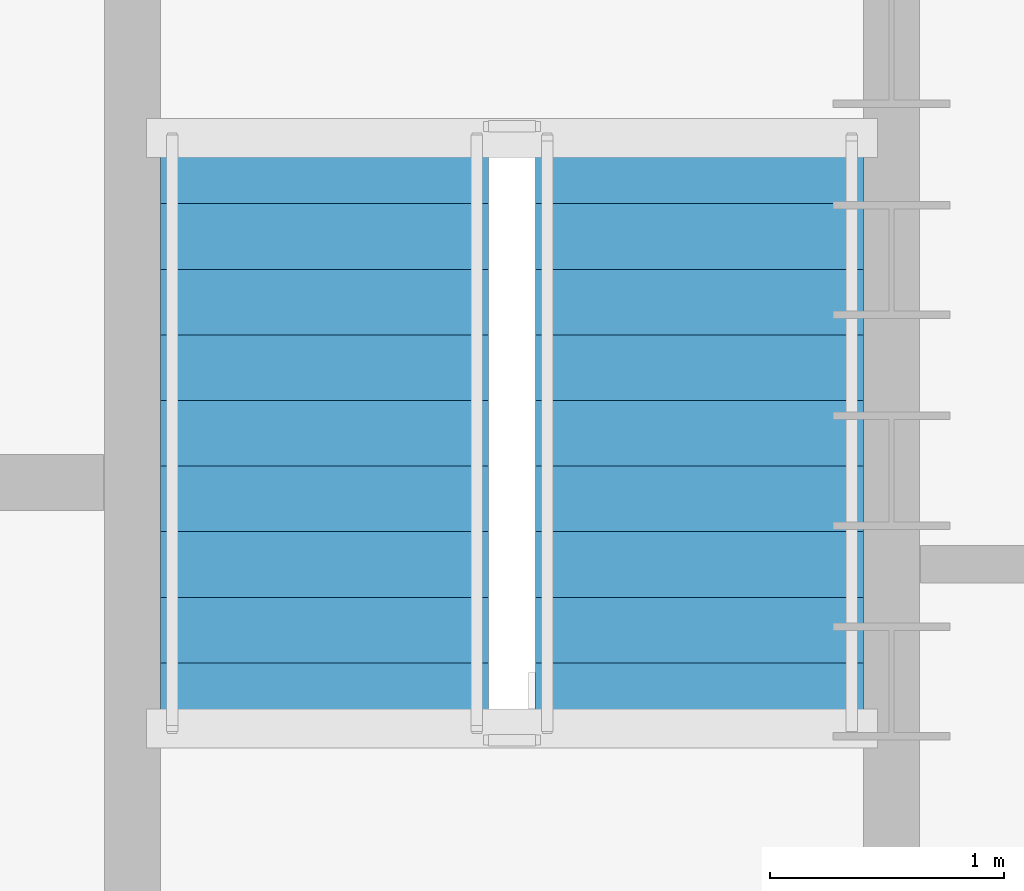
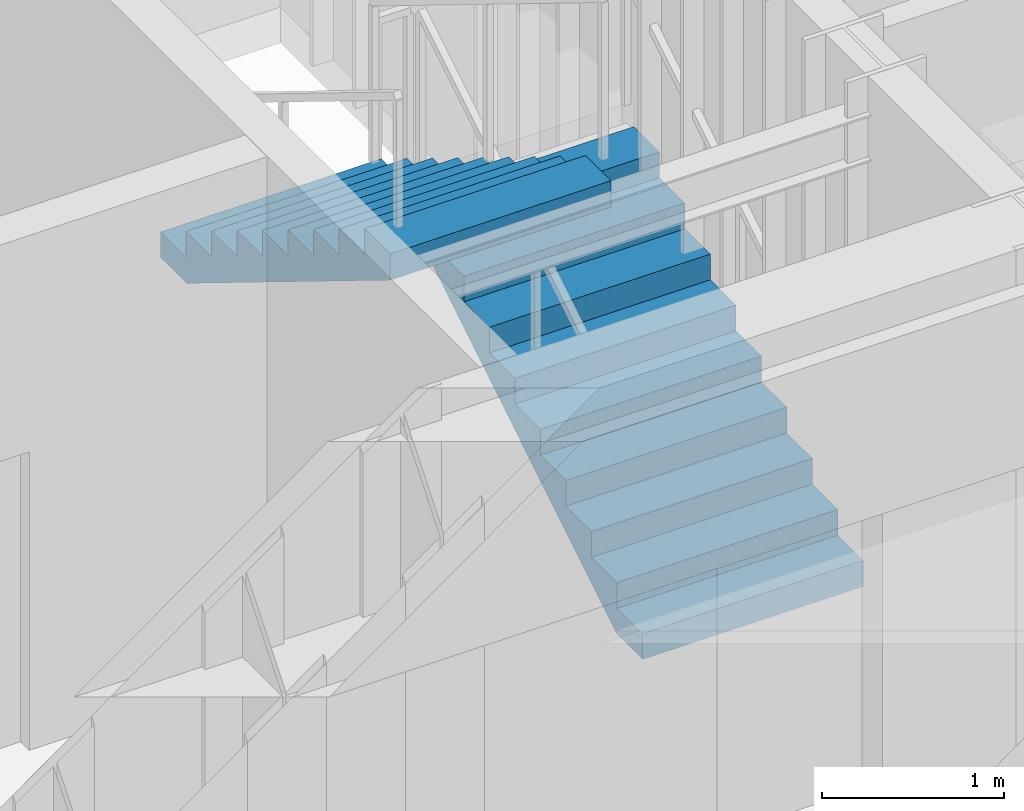
# One storey, part 11 of 14: 2 stair flights, 1 element without a shape of its own.
"""IFC4 building model written with IfcOpenShell, lengths in metres."""

import ifcopenshell
import ifcopenshell.guid

model = None  # the IFC model being written
_history = None  # IfcOwnerHistory: only IFC2X3 demands one
_inside = {}  # id of a spatial element -> (the spatial element, [elements in it])
_under = {}  # id of a project, library or spatial element -> (it, [spatial elements below it])
_declared = {}  # id of a project -> (the project, [libraries it declares])
_typed = {}  # id of a type object -> (the type object, [elements of that type])
_made_of = {}  # id of a material, layer set ... -> (it, [elements and type objects made of it])


def new_model(schema):
    """Start an empty IFC model of exactly this schema.

    Asked for "IFC4X3", IfcOpenShell would pick the latest addendum, in which some entities
    have other attributes; the version numbers below select the first issue.
    IFC2X3 requires an IfcOwnerHistory on every rooted entity: one is made here for all.
    """
    global model, _history
    if schema == "IFC4X3":
        model = ifcopenshell.file(schema_version=(4, 3, 0, 0))
    else:
        model = ifcopenshell.file(schema=schema)
    _inside.clear()
    _under.clear()
    _declared.clear()
    _typed.clear()
    _made_of.clear()
    _history = None
    if model.schema == "IFC2X3":
        org = make("IfcOrganization", Name="unknown")
        user = make(
            "IfcPersonAndOrganization",
            ThePerson=make("IfcPerson", FamilyName="unknown"),
            TheOrganization=org,
        )
        app = make(
            "IfcApplication",
            ApplicationDeveloper=org,
            Version="unknown",
            ApplicationFullName="unknown",
            ApplicationIdentifier="unknown",
        )
        _history = make(
            "IfcOwnerHistory",
            OwningUser=user,
            OwningApplication=app,
            ChangeAction="ADDED",
            CreationDate=0,
        )
    return model


def make(cls, **values):
    """One entity of the class cls with the attributes given. An attribute that is None is left unset."""
    return model.create_entity(
        cls, **{name: value for name, value in values.items() if value is not None}
    )


def rooted(cls, **values):
    """An entity with a GlobalId (a new one), such as an element, a storey or a relation."""
    return make(cls, GlobalId=ifcopenshell.guid.new(), OwnerHistory=_history, **values)


def si_unit(unit_type, name, prefix=None):
    """IfcSIUnit, for example si_unit("LENGTHUNIT", "METRE", prefix="MILLI")."""
    return make("IfcSIUnit", UnitType=unit_type, Prefix=prefix, Name=name)


def assignment(units):
    """IfcUnitAssignment: the units of a project."""
    return None if units is None else make("IfcUnitAssignment", Units=units)


def point(xyz):
    """IfcCartesianPoint."""
    return None if xyz is None else make("IfcCartesianPoint", Coordinates=xyz)


def direction(xyz):
    """IfcDirection."""
    return None if xyz is None else make("IfcDirection", DirectionRatios=xyz)


def frame(location, z_axis=None, x_axis=None):
    """IfcAxis2Placement3D, a coordinate frame: its origin and axes. An axis left out is left unset."""
    return make(
        "IfcAxis2Placement3D",
        Location=point(location),
        Axis=direction(z_axis),
        RefDirection=direction(x_axis),
    )


def origin():
    """The frame at (0, 0, 0) with its axes left unset."""
    return frame((0.0, 0.0, 0.0))


def place(relative_to, where):
    """IfcLocalPlacement: puts the frame where relative to a parent placement (None: the world)."""
    return make(
        "IfcLocalPlacement", PlacementRelTo=relative_to, RelativePlacement=where
    )


def context(
    kind, dimensions, precision=None, world=None, true_north=None, identifier=None
):
    """IfcGeometricRepresentationContext, for example the 3D "Model" context."""
    return make(
        "IfcGeometricRepresentationContext",
        ContextIdentifier=identifier,
        ContextType=kind,
        CoordinateSpaceDimension=dimensions,
        Precision=precision,
        WorldCoordinateSystem=world,
        TrueNorth=true_north,
    )


def subcontext(parent, identifier, kind, view, scale=None):
    """IfcGeometricRepresentationSubContext, for example "Body" below "Model"."""
    return make(
        "IfcGeometricRepresentationSubContext",
        ContextIdentifier=identifier,
        ContextType=kind,
        ParentContext=parent,
        TargetScale=scale,
        TargetView=view,
    )


def project(units=None, contexts=None):
    """IfcProject with its units and contexts."""
    return rooted(
        "IfcProject",
        Name="project",
        RepresentationContexts=contexts,
        UnitsInContext=assignment(units),
    )


def spatial(cls, under=None, at=None, **own):
    """A site, building, storey or space (cls), placed at a placement, below another one or the project."""
    s = rooted(cls, ObjectPlacement=at, **own)
    if under is not None:
        _under.setdefault(under.id(), (under, []))[1].append(s)
    return s


def polyline(points):
    """IfcPolyline through the points."""
    return make("IfcPolyline", Points=[point(p) for p in points])


def outline(outer, holes=None, kind="AREA"):
    """IfcArbitraryClosedProfileDef: a profile drawn as a closed curve; with holes, ...WithVoids."""
    if holes is None:
        return make("IfcArbitraryClosedProfileDef", ProfileType=kind, OuterCurve=outer)
    return make(
        "IfcArbitraryProfileDefWithVoids",
        ProfileType=kind,
        OuterCurve=outer,
        InnerCurves=holes,
    )


def extrude(swept, where, along, depth):
    """IfcExtrudedAreaSolid: the profile swept, set in the frame where, extruded along a direction by depth."""
    return make(
        "IfcExtrudedAreaSolid",
        SweptArea=swept,
        Position=where,
        ExtrudedDirection=direction(along),
        Depth=depth,
    )


def shape(context_of_items, identifier, shape_type, items):
    """IfcShapeRepresentation: the items that make up one representation, for example the "Body"."""
    return make(
        "IfcShapeRepresentation",
        ContextOfItems=context_of_items,
        RepresentationIdentifier=identifier,
        RepresentationType=shape_type,
        Items=items,
    )


def material(Name=None, Category=None):
    """IfcMaterial."""
    return make("IfcMaterial", Name=Name, Category=Category)


def made_of(thing, what):
    """Note that an element or type object is made of a material, layer set ...; save() writes the relation."""
    if what is not None:
        _made_of.setdefault(what.id(), (what, []))[1].append(thing)
    return thing


def type_object(cls, material=None, **own):
    """A type object (cls), such as IfcWallType, which elements share."""
    return made_of(rooted(cls, **own), material)


def element(
    cls,
    number,
    at=None,
    inside=None,
    cuts=None,
    type_object=None,
    material=None,
    context=None,
    identifier="Body",
    shape_type=None,
    held_by="IfcProductDefinitionShape",
    body=None,
    shapes=None,
    **own,
):
    """One element of the class cls, such as IfcWall. Its Tag is "e" and its number.

    at: its placement. inside: the storey or other place that contains it. cuts: it is an
    opening in that element (IfcRelVoidsElement). A single representation is given by context,
    identifier, shape_type and body (its items); several are given by shapes. held_by: the class
    of the entity that holds the representations. save() writes the other relations.
    """
    e = rooted(cls, Tag="e%d" % number, ObjectPlacement=at, **own)
    if body is not None:
        shapes = [shape(context, identifier, shape_type, body)]
    if shapes is not None:
        e.Representation = make(held_by, Representations=shapes)
    if inside is not None:
        _inside.setdefault(inside.id(), (inside, []))[1].append(e)
    if cuts is not None:
        rooted(
            "IfcRelVoidsElement", RelatingBuildingElement=cuts, RelatedOpeningElement=e
        )
    if type_object is not None:
        _typed.setdefault(type_object.id(), (type_object, []))[1].append(e)
    return made_of(e, material)


def aggregate(whole, parts):
    """IfcRelAggregates: a whole, such as a stair, and the parts it consists of."""
    return rooted("IfcRelAggregates", RelatingObject=whole, RelatedObjects=parts)


def save(model, path):
    """Write the relations noted so far, then the file.

    IfcRelAggregates (storeys below a building ...), IfcRelContainedInSpatialStructure (elements
    in a storey), IfcRelDefinesByType, IfcRelAssociatesMaterial and IfcRelDeclares: one each for
    every whole, place, type object, material and project.
    """
    for whole, parts in _under.values():
        aggregate(whole, parts)
    for where, things in _inside.values():
        rooted(
            "IfcRelContainedInSpatialStructure",
            RelatedElements=things,
            RelatingStructure=where,
        )
    for kind, things in _typed.values():
        rooted("IfcRelDefinesByType", RelatedObjects=things, RelatingType=kind)
    for what, things in _made_of.values():
        rooted("IfcRelAssociatesMaterial", RelatedObjects=things, RelatingMaterial=what)
    for by, libraries in _declared.values():
        rooted("IfcRelDeclares", RelatingContext=by, RelatedDefinitions=libraries)
    model.write(path)


model = new_model("IFC4")

# Units and contexts
model_context = context("Model", 3, precision=1e-05, world=origin(), true_north=direction((0.0, 1.0)))
body_context = subcontext(model_context, "Body", "Model", "MODEL_VIEW")
ifc_project = project(units=[si_unit("LENGTHUNIT", "METRE"), si_unit("AREAUNIT", "SQUARE_METRE"), si_unit("VOLUMEUNIT", "CUBIC_METRE"), si_unit("PLANEANGLEUNIT", "RADIAN"), si_unit("MASSUNIT", "GRAM", prefix="KILO")], contexts=[model_context])

# Site, building, storey
site_placement = place(None, origin())
site = spatial("IfcSite", under=ifc_project, at=site_placement, CompositionType="ELEMENT")
building_placement = place(site_placement, origin())
building = spatial("IfcBuilding", under=site, at=building_placement, Name="Haldorwick Loom Tower", CompositionType="ELEMENT")
storey_placement = place(building_placement, frame((0.0, 0.0, 95.60009765625)))
storey = spatial("IfcBuildingStorey", under=building, at=storey_placement, Name="L25", CompositionType="ELEMENT", Elevation=95.60009765625)

# Stair, stair flights
ifc_material = material(Name="Concrete C40 (40 MPa)", Category="concrete")
stair_type = type_object("IfcStairType", Name="STR-STR-CORE", PredefinedType="HALF_TURN_STAIR", material=ifc_material)
stair_placement = place(storey_placement, origin())
stair = element("IfcStair", 1, at=stair_placement, inside=storey, type_object=stair_type, Name="L25 Exit Stair ST-02", PredefinedType="HALF_TURN_STAIR")
stair_flight_type = type_object("IfcStairFlightType", Name="STR-STF-1250", PredefinedType="STRAIGHT", material=ifc_material)
stair_flight_1_placement = place(storey_placement, frame((49.25, 28.39990234375, 0.0), z_axis=(0.0, 0.0, 1.0), x_axis=(0.0, 1.0, 0.0)))
stair_flight_1 = element("IfcStairFlight", 2, at=stair_flight_1_placement, type_object=stair_flight_type, Name="ST-02 flight 1", NumberOfRisers=10, NumberOfTreads=9, PredefinedType="STRAIGHT", RiserHeight=0.1725, TreadLength=0.28, context=body_context, shape_type="SweptSolid", body=[
    extrude(outline(polyline([(0.0, 0.0), (0.0, 0.172607421875), (0.280029296875, 0.172607421875), (0.280029296875, 0.344970703125), (0.56005859375, 0.344970703125), (0.56005859375, 0.517578125), (0.840087890625, 0.517578125), (0.840087890625, 0.68994140625), (1.1201171875, 0.68994140625), (1.1201171875, 0.862548828125), (1.39990234375, 0.862548828125), (1.39990234375, 1.034912109375), (1.679931640625, 1.034912109375), (1.679931640625, 1.20751953125), (1.9599609375, 1.20751953125), (1.9599609375, 1.3798828125), (2.239990234375, 1.3798828125), (2.239990234375, 1.552490234375), (2.52001953125, 1.552490234375), (2.52001953125, 1.72509765625), (2.52001953125, 1.37646484375), (0.285888671875, 0.0), (0.0, 0.0)])), frame((0.0, 0.699951171875, 0.0), z_axis=(0.0, -1.0, 0.0), x_axis=(1.0, 0.0, 0.0)), (0.0, 0.0, 1.0), 1.39990234375),
])
stair_flight_2_placement = place(storey_placement, frame((47.64990234375, 30.919921875, 1.724853515625), z_axis=(0.0, 0.0, 1.0), x_axis=(0.0, -1.0, 0.0)))
stair_flight_2 = element("IfcStairFlight", 3, at=stair_flight_2_placement, type_object=stair_flight_type, Name="ST-02 flight 2", NumberOfRisers=10, NumberOfTreads=9, PredefinedType="STRAIGHT", RiserHeight=0.1725, TreadLength=0.28, context=body_context, shape_type="SweptSolid", body=[
    extrude(outline(polyline([(0.0, 0.0), (0.0, 0.172607421875), (0.280029296875, 0.172607421875), (0.280029296875, 0.344970703125), (0.56005859375, 0.344970703125), (0.56005859375, 0.517578125), (0.840087890625, 0.517578125), (0.840087890625, 0.68994140625), (1.1201171875, 0.68994140625), (1.1201171875, 0.862548828125), (1.39990234375, 0.862548828125), (1.39990234375, 1.034912109375), (1.679931640625, 1.034912109375), (1.679931640625, 1.20751953125), (1.9599609375, 1.20751953125), (1.9599609375, 1.3798828125), (2.239990234375, 1.3798828125), (2.239990234375, 1.552490234375), (2.52001953125, 1.552490234375), (2.52001953125, 1.72509765625), (2.52001953125, 1.37646484375), (0.285888671875, 0.0), (0.0, 0.0)])), frame((0.0, 0.699951171875, 0.0), z_axis=(0.0, -1.0, 0.0), x_axis=(1.0, 0.0, 0.0)), (0.0, 0.0, 1.0), 1.39990234375),
])
aggregate(stair, [stair_flight_1, stair_flight_2])

save(model, "model.ifc")
